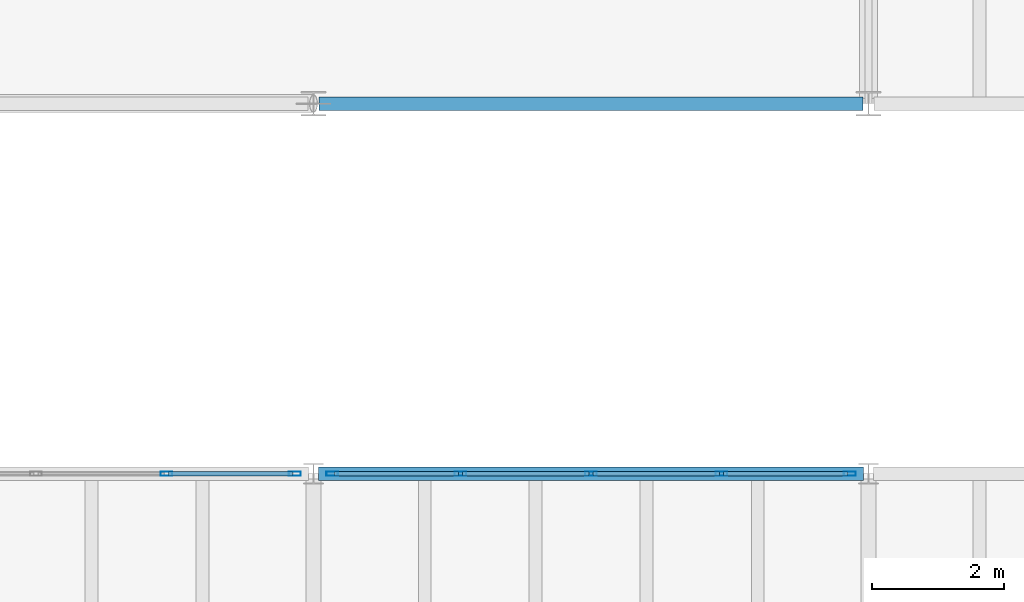
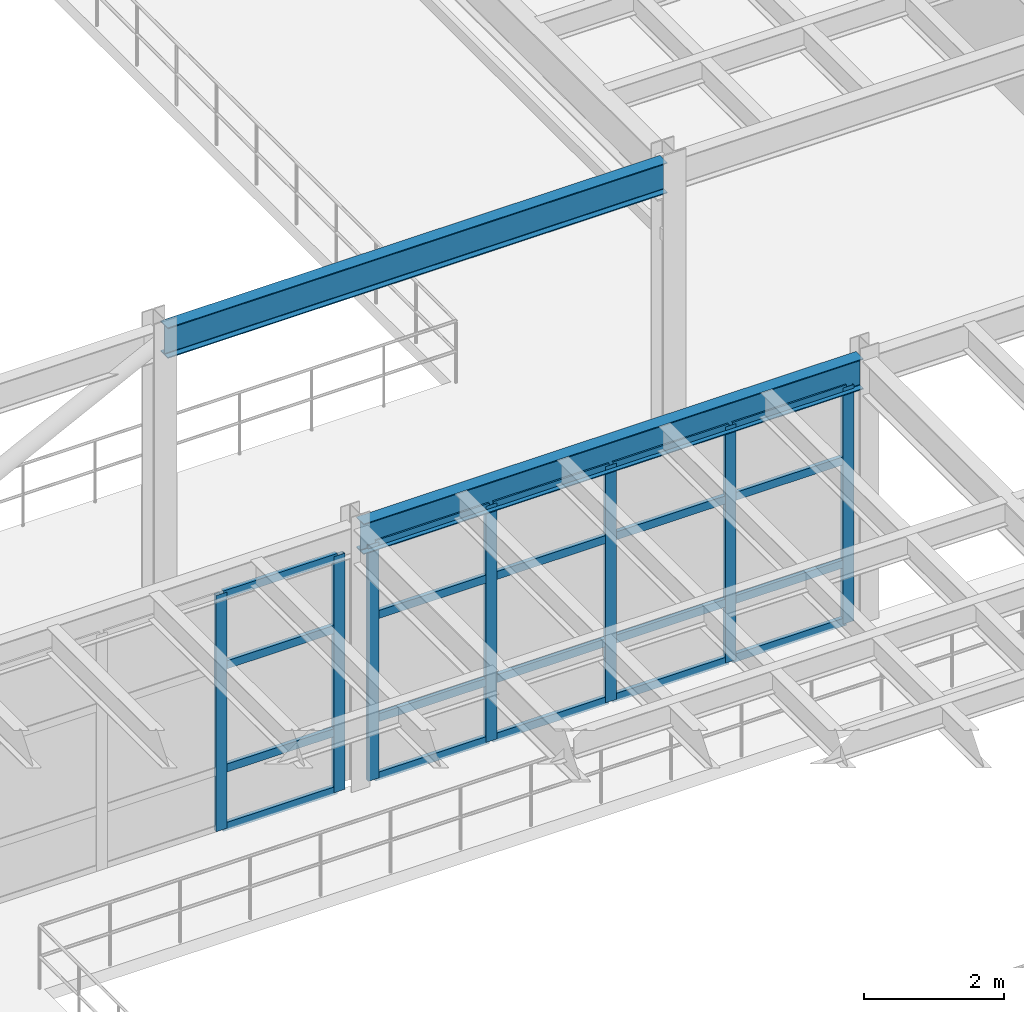
# One storey, part 32 of 105: 27 members, 2 beams, 2 elements without a shape of their own.
"""IFC4 building model written with IfcOpenShell, lengths in metres."""

from ifc_helpers import new_model, si_unit, direction, frame, origin, origin_2d, place, context, subcontext, project, spatial, hollow_rectangle, i_section, extrude, material, layer, layer_set, material_profile, profile_set, type_object, element, aggregate, save


model = new_model("IFC4")

# Units and contexts
model_context = context("Model", 3, precision=1e-05, world=origin(), true_north=direction((0.0, 1.0)))
body_context = subcontext(model_context, "Body", "Model", "MODEL_VIEW")
ifc_project = project(units=[si_unit("LENGTHUNIT", "METRE"), si_unit("AREAUNIT", "SQUARE_METRE"), si_unit("VOLUMEUNIT", "CUBIC_METRE"), si_unit("PLANEANGLEUNIT", "RADIAN"), si_unit("MASSUNIT", "GRAM", prefix="KILO")], contexts=[model_context])

# Site, building, storey
site_placement = place(None, origin())
site = spatial("IfcSite", under=ifc_project, at=site_placement, CompositionType="ELEMENT")
building_placement = place(site_placement, origin())
building = spatial("IfcBuilding", under=site, at=building_placement, Name="Selat Folded Stagehouse", CompositionType="ELEMENT")
storey_placement = place(building_placement, frame((0.0, 0.0, 10.199951171875)))
storey = spatial("IfcBuildingStorey", under=building, at=storey_placement, Name="L02", CompositionType="ELEMENT", Elevation=10.199951171875)

# Beams
ifc_material_1 = material(Name="Steel S355", Category="steel")
ifc_material_profile_1 = material_profile(ifc_material_1, i_section(OverallWidth=0.209228515625, OverallDepth=0.533203125, WebThickness=0.010009765625, FlangeThickness=0.015625, FilletRadius=0.0126953125, at=origin_2d()), Name="UKB 533x210x92")
ifc_profile_set_1 = profile_set([ifc_material_profile_1], Name="Steel S355")
beam_type = type_object("IfcBeamType", Name="BM-GIRD-533x210x92", PredefinedType="BEAM", material=ifc_profile_set_1)
beam_1_placement = place(storey_placement, frame((50.47705078125, 17.800048828125, 4.308349609375), z_axis=(1.0, 0.0, 0.0), x_axis=(0.0, 1.0, 0.0)))
element("IfcBeam", 1, at=beam_1_placement, inside=storey, type_object=beam_type, Name="L02 primary x-girder 1001", PredefinedType="BEAM", context=body_context, shape_type="SweptSolid", body=[
    extrude(i_section(OverallWidth=0.209228515625, OverallDepth=0.533203125, WebThickness=0.010009765625, FlangeThickness=0.015625, FilletRadius=0.0126953125, at=origin_2d()), origin(), (0.0, 0.0, 1.0), 8.245849609375),
])
beam_2_placement = place(storey_placement, frame((50.47998046875, 23.39990234375, 4.33349609375), z_axis=(1.0, 0.0, 0.0), x_axis=(0.0, 1.0, 0.0)))
element("IfcBeam", 2, at=beam_2_placement, inside=storey, type_object=beam_type, Name="L02 primary x-girder 1012", PredefinedType="BEAM", context=body_context, shape_type="SweptSolid", body=[
    extrude(i_section(OverallWidth=0.209228515625, OverallDepth=0.533203125, WebThickness=0.010009765625, FlangeThickness=0.015625, FilletRadius=0.0126953125, at=origin_2d()), origin(), (0.0, 0.0, 1.0), 8.239990234375),
])

# Curtain wall, members
ifc_material_2 = material(Name="Aluminium 6063-T6", Category="aluminium")
ifc_layer = layer(ifc_material_2, 0.195068359375)
ifc_layer_set = layer_set([ifc_layer], Name="Aluminium 6063-T6")
curtain_wall_type = type_object("IfcCurtainWallType", Name="CW-FYR-COURT", PredefinedType="NOTDEFINED", material=ifc_layer_set)
curtain_wall_1_placement = place(storey_placement, origin())
curtain_wall_1 = element("IfcCurtainWall", 3, at=curtain_wall_1_placement, inside=storey, type_object=curtain_wall_type, Name="L02 curtain wall CW-FYR-L02-08", PredefinedType="NOTDEFINED")
ifc_material_profile_2 = material_profile(ifc_material_2, hollow_rectangle(XDim=0.06494140625, YDim=0.179931640625, WallThickness=0.00390625, at=origin_2d()), Name="ALU 180x65x4.0")
ifc_profile_set_2 = profile_set([ifc_material_profile_2], Name="Aluminium 6063-T6")
member_type_1 = type_object("IfcMemberType", Name="CWM-MUL-180x65", PredefinedType="MULLION", material=ifc_profile_set_2)
member_1_placement = place(storey_placement, frame((48.175048828125, 17.800048828125, 0.0), z_axis=(0.0, 0.0, 1.0), x_axis=(0.0, 1.0, 0.0)))
member_1 = element("IfcMember", 4, at=member_1_placement, type_object=member_type_1, Name="CW-05 mullion 4", PredefinedType="MULLION", context=body_context, shape_type="SweptSolid", body=[
    extrude(hollow_rectangle(XDim=0.06494140625, YDim=0.179931640625, WallThickness=0.00390625, at=origin_2d()), origin(), (0.0, 0.0, 1.0), 4.1201171875),
])
member_2_placement = place(storey_placement, frame((50.117431640625, 17.800048828125, 0.0), z_axis=(0.0, 0.0, 1.0), x_axis=(0.0, 1.0, 0.0)))
member_2 = element("IfcMember", 5, at=member_2_placement, type_object=member_type_1, Name="CW-05 mullion 5", PredefinedType="MULLION", context=body_context, shape_type="SweptSolid", body=[
    extrude(hollow_rectangle(XDim=0.06494140625, YDim=0.179931640625, WallThickness=0.00390625, at=origin_2d()), origin(), (0.0, 0.0, 1.0), 4.1201171875),
])

curtain_wall_2_placement = place(storey_placement, origin())
curtain_wall_2 = element("IfcCurtainWall", 6, at=curtain_wall_2_placement, inside=storey, type_object=curtain_wall_type, Name="L02 curtain wall CW-FYR-L02-09", PredefinedType="NOTDEFINED")
member_3_placement = place(storey_placement, frame((50.6826171875, 17.800048828125, 0.0), z_axis=(0.0, 0.0, 1.0), x_axis=(0.0, 1.0, 0.0)))
member_3 = element("IfcMember", 7, at=member_3_placement, type_object=member_type_1, Name="CW-05 mullion 1", PredefinedType="MULLION", context=body_context, shape_type="SweptSolid", body=[
    extrude(hollow_rectangle(XDim=0.06494140625, YDim=0.179931640625, WallThickness=0.00390625, at=origin_2d()), origin(), (0.0, 0.0, 1.0), 4.1201171875),
])
member_4_placement = place(storey_placement, frame((52.625, 17.800048828125, 0.0), z_axis=(0.0, 0.0, 1.0), x_axis=(0.0, 1.0, 0.0)))
member_4 = element("IfcMember", 8, at=member_4_placement, type_object=member_type_1, Name="CW-05 mullion 2", PredefinedType="MULLION", context=body_context, shape_type="SweptSolid", body=[
    extrude(hollow_rectangle(XDim=0.06494140625, YDim=0.179931640625, WallThickness=0.00390625, at=origin_2d()), origin(), (0.0, 0.0, 1.0), 4.1201171875),
])
member_5_placement = place(storey_placement, frame((54.60009765625, 17.800048828125, 0.0), z_axis=(0.0, 0.0, 1.0), x_axis=(0.0, 1.0, 0.0)))
member_5 = element("IfcMember", 9, at=member_5_placement, type_object=member_type_1, Name="CW-05 mullion 3", PredefinedType="MULLION", context=body_context, shape_type="SweptSolid", body=[
    extrude(hollow_rectangle(XDim=0.06494140625, YDim=0.179931640625, WallThickness=0.00390625, at=origin_2d()), origin(), (0.0, 0.0, 1.0), 4.1201171875),
])
member_6_placement = place(storey_placement, frame((56.574951171875, 17.800048828125, 0.0), z_axis=(0.0, 0.0, 1.0), x_axis=(0.0, 1.0, 0.0)))
member_6 = element("IfcMember", 10, at=member_6_placement, type_object=member_type_1, Name="CW-05 mullion 4", PredefinedType="MULLION", context=body_context, shape_type="SweptSolid", body=[
    extrude(hollow_rectangle(XDim=0.06494140625, YDim=0.179931640625, WallThickness=0.00390625, at=origin_2d()), origin(), (0.0, 0.0, 1.0), 4.1201171875),
])
member_7_placement = place(storey_placement, frame((58.517578125, 17.800048828125, 0.0), z_axis=(0.0, 0.0, 1.0), x_axis=(0.0, 1.0, 0.0)))
member_7 = element("IfcMember", 11, at=member_7_placement, type_object=member_type_1, Name="CW-05 mullion 5", PredefinedType="MULLION", context=body_context, shape_type="SweptSolid", body=[
    extrude(hollow_rectangle(XDim=0.06494140625, YDim=0.179931640625, WallThickness=0.00390625, at=origin_2d()), origin(), (0.0, 0.0, 1.0), 4.1201171875),
])

# Member
ifc_material_profile_3 = material_profile(ifc_material_2, hollow_rectangle(XDim=0.06494140625, YDim=0.139892578125, WallThickness=0.00390625, at=origin_2d()), Name="ALU 140x65x4.0")
ifc_profile_set_3 = profile_set([ifc_material_profile_3], Name="Aluminium 6063-T6")
member_type_2 = type_object("IfcMemberType", Name="CWM-TRN-140x65", PredefinedType="USERDEFINED", material=ifc_profile_set_3)
member_8_placement = place(storey_placement, frame((48.20751953125, 17.800048828125, 0.032470703125), z_axis=(1.0, 0.0, 0.0), x_axis=(0.0, 1.0, 0.0)))
member_8 = element("IfcMember", 12, at=member_8_placement, type_object=member_type_2, Name="CW-05 transom 4.1", ObjectType="TRANSOM", PredefinedType="USERDEFINED", context=body_context, shape_type="SweptSolid", body=[
    extrude(hollow_rectangle(XDim=0.06494140625, YDim=0.139892578125, WallThickness=0.00390625, at=origin_2d()), origin(), (0.0, 0.0, 1.0), 1.87744140625),
])

member_9_placement = place(storey_placement, frame((48.20751953125, 17.800048828125, 1.050048828125), z_axis=(1.0, 0.0, 0.0), x_axis=(0.0, 1.0, 0.0)))
member_9 = element("IfcMember", 13, at=member_9_placement, type_object=member_type_2, Name="CW-05 transom 4.2", ObjectType="TRANSOM", PredefinedType="USERDEFINED", context=body_context, shape_type="SweptSolid", body=[
    extrude(hollow_rectangle(XDim=0.06494140625, YDim=0.139892578125, WallThickness=0.00390625, at=origin_2d()), origin(), (0.0, 0.0, 1.0), 1.87744140625),
])

member_10_placement = place(storey_placement, frame((48.20751953125, 17.800048828125, 2.85009765625), z_axis=(1.0, 0.0, 0.0), x_axis=(0.0, 1.0, 0.0)))
member_10 = element("IfcMember", 14, at=member_10_placement, type_object=member_type_2, Name="CW-05 transom 4.3", ObjectType="TRANSOM", PredefinedType="USERDEFINED", context=body_context, shape_type="SweptSolid", body=[
    extrude(hollow_rectangle(XDim=0.06494140625, YDim=0.139892578125, WallThickness=0.00390625, at=origin_2d()), origin(), (0.0, 0.0, 1.0), 1.87744140625),
])

member_11_placement = place(storey_placement, frame((48.20751953125, 17.800048828125, 4.087646484375), z_axis=(1.0, 0.0, 0.0), x_axis=(0.0, 1.0, 0.0)))
member_11 = element("IfcMember", 15, at=member_11_placement, type_object=member_type_2, Name="CW-05 transom 4.4", ObjectType="TRANSOM", PredefinedType="USERDEFINED", context=body_context, shape_type="SweptSolid", body=[
    extrude(hollow_rectangle(XDim=0.06494140625, YDim=0.139892578125, WallThickness=0.00390625, at=origin_2d()), origin(), (0.0, 0.0, 1.0), 1.87744140625),
])

aggregate(curtain_wall_1, [member_1, member_2, member_8, member_9, member_10, member_11])

member_12_placement = place(storey_placement, frame((50.715087890625, 17.800048828125, 0.032470703125), z_axis=(1.0, 0.0, 0.0), x_axis=(0.0, 1.0, 0.0)))
member_12 = element("IfcMember", 16, at=member_12_placement, type_object=member_type_2, Name="CW-05 transom 1.1", ObjectType="TRANSOM", PredefinedType="USERDEFINED", context=body_context, shape_type="SweptSolid", body=[
    extrude(hollow_rectangle(XDim=0.06494140625, YDim=0.139892578125, WallThickness=0.00390625, at=origin_2d()), origin(), (0.0, 0.0, 1.0), 1.87744140625),
])

member_13_placement = place(storey_placement, frame((50.715087890625, 17.800048828125, 1.050048828125), z_axis=(1.0, 0.0, 0.0), x_axis=(0.0, 1.0, 0.0)))
member_13 = element("IfcMember", 17, at=member_13_placement, type_object=member_type_2, Name="CW-05 transom 1.2", ObjectType="TRANSOM", PredefinedType="USERDEFINED", context=body_context, shape_type="SweptSolid", body=[
    extrude(hollow_rectangle(XDim=0.06494140625, YDim=0.139892578125, WallThickness=0.00390625, at=origin_2d()), origin(), (0.0, 0.0, 1.0), 1.87744140625),
])

member_14_placement = place(storey_placement, frame((50.715087890625, 17.800048828125, 2.85009765625), z_axis=(1.0, 0.0, 0.0), x_axis=(0.0, 1.0, 0.0)))
member_14 = element("IfcMember", 18, at=member_14_placement, type_object=member_type_2, Name="CW-05 transom 1.3", ObjectType="TRANSOM", PredefinedType="USERDEFINED", context=body_context, shape_type="SweptSolid", body=[
    extrude(hollow_rectangle(XDim=0.06494140625, YDim=0.139892578125, WallThickness=0.00390625, at=origin_2d()), origin(), (0.0, 0.0, 1.0), 1.87744140625),
])

member_15_placement = place(storey_placement, frame((50.715087890625, 17.800048828125, 4.087646484375), z_axis=(1.0, 0.0, 0.0), x_axis=(0.0, 1.0, 0.0)))
member_15 = element("IfcMember", 19, at=member_15_placement, type_object=member_type_2, Name="CW-05 transom 1.4", ObjectType="TRANSOM", PredefinedType="USERDEFINED", context=body_context, shape_type="SweptSolid", body=[
    extrude(hollow_rectangle(XDim=0.06494140625, YDim=0.139892578125, WallThickness=0.00390625, at=origin_2d()), origin(), (0.0, 0.0, 1.0), 1.87744140625),
])

member_16_placement = place(storey_placement, frame((52.657470703125, 17.800048828125, 0.032470703125), z_axis=(1.0, 0.0, 0.0), x_axis=(0.0, 1.0, 0.0)))
member_16 = element("IfcMember", 20, at=member_16_placement, type_object=member_type_2, Name="CW-05 transom 2.1", ObjectType="TRANSOM", PredefinedType="USERDEFINED", context=body_context, shape_type="SweptSolid", body=[
    extrude(hollow_rectangle(XDim=0.06494140625, YDim=0.139892578125, WallThickness=0.00390625, at=origin_2d()), origin(), (0.0, 0.0, 1.0), 1.909912109375),
])

member_17_placement = place(storey_placement, frame((52.657470703125, 17.800048828125, 1.050048828125), z_axis=(1.0, 0.0, 0.0), x_axis=(0.0, 1.0, 0.0)))
member_17 = element("IfcMember", 21, at=member_17_placement, type_object=member_type_2, Name="CW-05 transom 2.2", ObjectType="TRANSOM", PredefinedType="USERDEFINED", context=body_context, shape_type="SweptSolid", body=[
    extrude(hollow_rectangle(XDim=0.06494140625, YDim=0.139892578125, WallThickness=0.00390625, at=origin_2d()), origin(), (0.0, 0.0, 1.0), 1.909912109375),
])

member_18_placement = place(storey_placement, frame((52.657470703125, 17.800048828125, 2.85009765625), z_axis=(1.0, 0.0, 0.0), x_axis=(0.0, 1.0, 0.0)))
member_18 = element("IfcMember", 22, at=member_18_placement, type_object=member_type_2, Name="CW-05 transom 2.3", ObjectType="TRANSOM", PredefinedType="USERDEFINED", context=body_context, shape_type="SweptSolid", body=[
    extrude(hollow_rectangle(XDim=0.06494140625, YDim=0.139892578125, WallThickness=0.00390625, at=origin_2d()), origin(), (0.0, 0.0, 1.0), 1.909912109375),
])

member_19_placement = place(storey_placement, frame((52.657470703125, 17.800048828125, 4.087646484375), z_axis=(1.0, 0.0, 0.0), x_axis=(0.0, 1.0, 0.0)))
member_19 = element("IfcMember", 23, at=member_19_placement, type_object=member_type_2, Name="CW-05 transom 2.4", ObjectType="TRANSOM", PredefinedType="USERDEFINED", context=body_context, shape_type="SweptSolid", body=[
    extrude(hollow_rectangle(XDim=0.06494140625, YDim=0.139892578125, WallThickness=0.00390625, at=origin_2d()), origin(), (0.0, 0.0, 1.0), 1.909912109375),
])

member_20_placement = place(storey_placement, frame((54.632568359375, 17.800048828125, 0.032470703125), z_axis=(1.0, 0.0, 0.0), x_axis=(0.0, 1.0, 0.0)))
member_20 = element("IfcMember", 24, at=member_20_placement, type_object=member_type_2, Name="CW-05 transom 3.1", ObjectType="TRANSOM", PredefinedType="USERDEFINED", context=body_context, shape_type="SweptSolid", body=[
    extrude(hollow_rectangle(XDim=0.06494140625, YDim=0.139892578125, WallThickness=0.00390625, at=origin_2d()), origin(), (0.0, 0.0, 1.0), 1.909912109375),
])

member_21_placement = place(storey_placement, frame((54.632568359375, 17.800048828125, 1.050048828125), z_axis=(1.0, 0.0, 0.0), x_axis=(0.0, 1.0, 0.0)))
member_21 = element("IfcMember", 25, at=member_21_placement, type_object=member_type_2, Name="CW-05 transom 3.2", ObjectType="TRANSOM", PredefinedType="USERDEFINED", context=body_context, shape_type="SweptSolid", body=[
    extrude(hollow_rectangle(XDim=0.06494140625, YDim=0.139892578125, WallThickness=0.00390625, at=origin_2d()), origin(), (0.0, 0.0, 1.0), 1.909912109375),
])

member_22_placement = place(storey_placement, frame((54.632568359375, 17.800048828125, 2.85009765625), z_axis=(1.0, 0.0, 0.0), x_axis=(0.0, 1.0, 0.0)))
member_22 = element("IfcMember", 26, at=member_22_placement, type_object=member_type_2, Name="CW-05 transom 3.3", ObjectType="TRANSOM", PredefinedType="USERDEFINED", context=body_context, shape_type="SweptSolid", body=[
    extrude(hollow_rectangle(XDim=0.06494140625, YDim=0.139892578125, WallThickness=0.00390625, at=origin_2d()), origin(), (0.0, 0.0, 1.0), 1.909912109375),
])

member_23_placement = place(storey_placement, frame((54.632568359375, 17.800048828125, 4.087646484375), z_axis=(1.0, 0.0, 0.0), x_axis=(0.0, 1.0, 0.0)))
member_23 = element("IfcMember", 27, at=member_23_placement, type_object=member_type_2, Name="CW-05 transom 3.4", ObjectType="TRANSOM", PredefinedType="USERDEFINED", context=body_context, shape_type="SweptSolid", body=[
    extrude(hollow_rectangle(XDim=0.06494140625, YDim=0.139892578125, WallThickness=0.00390625, at=origin_2d()), origin(), (0.0, 0.0, 1.0), 1.909912109375),
])

member_24_placement = place(storey_placement, frame((56.607421875, 17.800048828125, 0.032470703125), z_axis=(1.0, 0.0, 0.0), x_axis=(0.0, 1.0, 0.0)))
member_24 = element("IfcMember", 28, at=member_24_placement, type_object=member_type_2, Name="CW-05 transom 4.1", ObjectType="TRANSOM", PredefinedType="USERDEFINED", context=body_context, shape_type="SweptSolid", body=[
    extrude(hollow_rectangle(XDim=0.06494140625, YDim=0.139892578125, WallThickness=0.00390625, at=origin_2d()), origin(), (0.0, 0.0, 1.0), 1.877685546875),
])

member_25_placement = place(storey_placement, frame((56.607421875, 17.800048828125, 1.050048828125), z_axis=(1.0, 0.0, 0.0), x_axis=(0.0, 1.0, 0.0)))
member_25 = element("IfcMember", 29, at=member_25_placement, type_object=member_type_2, Name="CW-05 transom 4.2", ObjectType="TRANSOM", PredefinedType="USERDEFINED", context=body_context, shape_type="SweptSolid", body=[
    extrude(hollow_rectangle(XDim=0.06494140625, YDim=0.139892578125, WallThickness=0.00390625, at=origin_2d()), origin(), (0.0, 0.0, 1.0), 1.877685546875),
])

member_26_placement = place(storey_placement, frame((56.607421875, 17.800048828125, 2.85009765625), z_axis=(1.0, 0.0, 0.0), x_axis=(0.0, 1.0, 0.0)))
member_26 = element("IfcMember", 30, at=member_26_placement, type_object=member_type_2, Name="CW-05 transom 4.3", ObjectType="TRANSOM", PredefinedType="USERDEFINED", context=body_context, shape_type="SweptSolid", body=[
    extrude(hollow_rectangle(XDim=0.06494140625, YDim=0.139892578125, WallThickness=0.00390625, at=origin_2d()), origin(), (0.0, 0.0, 1.0), 1.877685546875),
])

member_27_placement = place(storey_placement, frame((56.607421875, 17.800048828125, 4.087646484375), z_axis=(1.0, 0.0, 0.0), x_axis=(0.0, 1.0, 0.0)))
member_27 = element("IfcMember", 31, at=member_27_placement, type_object=member_type_2, Name="CW-05 transom 4.4", ObjectType="TRANSOM", PredefinedType="USERDEFINED", context=body_context, shape_type="SweptSolid", body=[
    extrude(hollow_rectangle(XDim=0.06494140625, YDim=0.139892578125, WallThickness=0.00390625, at=origin_2d()), origin(), (0.0, 0.0, 1.0), 1.877685546875),
])

aggregate(curtain_wall_2, [member_3, member_4, member_5, member_6, member_7, member_12, member_13, member_14, member_15, member_16, member_17, member_18, member_19, member_20, member_21, member_22, member_23, member_24, member_25, member_26, member_27])

save(model, "model.ifc")
